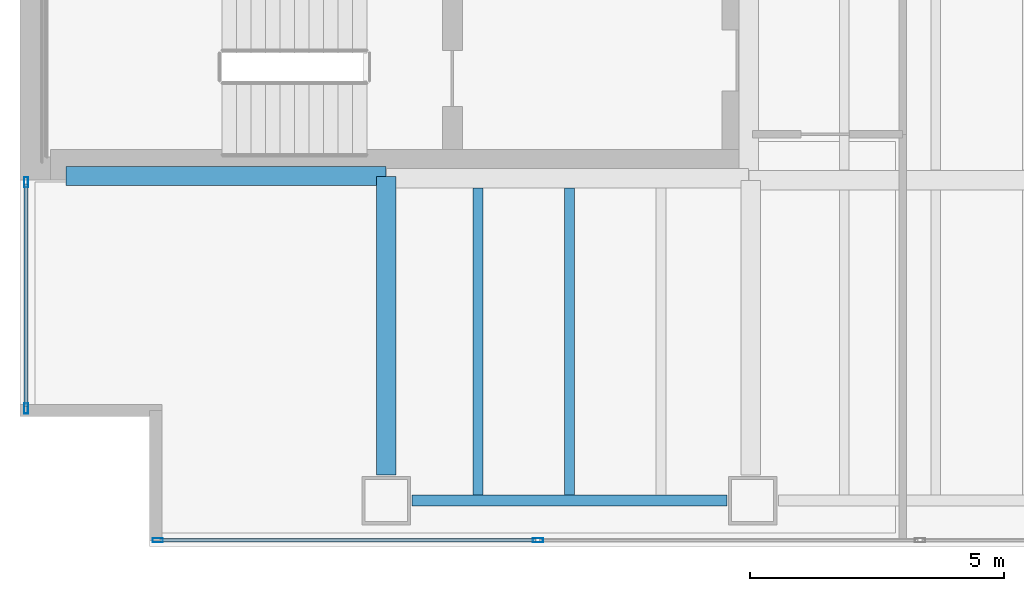
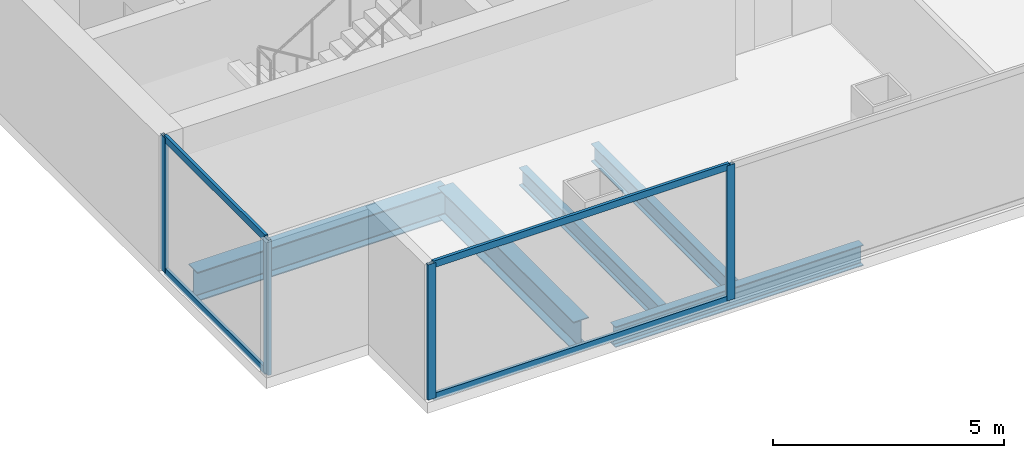
# One storey, part 2 of 24: 8 members, 5 beams, 2 elements without a shape of their own.
"""IFC4 building model written with IfcOpenShell, lengths in metres."""

from ifc_helpers import new_model, si_unit, direction, frame, origin, origin_2d, place, context, subcontext, project, spatial, hollow_rectangle, i_section, extrude, material, material_profile, profile_set, type_object, element, aggregate, save


model = new_model("IFC4")

# Units and contexts
model_context = context("Model", 3, precision=1e-05, world=origin(), true_north=direction((0.0, 1.0)))
body_context = subcontext(model_context, "Body", "Model", "MODEL_VIEW")
ifc_project = project(units=[si_unit("LENGTHUNIT", "METRE"), si_unit("AREAUNIT", "SQUARE_METRE"), si_unit("VOLUMEUNIT", "CUBIC_METRE"), si_unit("PLANEANGLEUNIT", "RADIAN"), si_unit("MASSUNIT", "GRAM", prefix="KILO")], contexts=[model_context])

# Site, building, storey
site_placement = place(None, origin())
site = spatial("IfcSite", under=ifc_project, at=site_placement, CompositionType="ELEMENT")
building_placement = place(site_placement, origin())
building = spatial("IfcBuilding", under=site, at=building_placement, Name="Cobrela Telecom Tower", CompositionType="ELEMENT")
storey_placement = place(building_placement, frame((0.0, 0.0, 77.35009765625)))
storey = spatial("IfcBuildingStorey", under=building, at=storey_placement, Name="L19", CompositionType="ELEMENT", Elevation=77.35009765625)

# Beams
ifc_material_1 = material(Name="Steel ASTM A992 Grade 50", Category="steel")
ifc_material_profile_1 = material_profile(ifc_material_1, i_section(OverallWidth=0.381103515625, OverallDepth=0.77197265625, WebThickness=0.0166015625, FlangeThickness=0.027099609375, FilletRadius=0.01904296875, at=origin_2d()), Name="W30X173")
ifc_profile_set_1 = profile_set([ifc_material_profile_1], Name="Steel ASTM A992 Grade 50")
beam_type_1 = type_object("IfcBeamType", Name="BM-GIRD-04", PredefinedType="USERDEFINED", material=ifc_profile_set_1)
beam_1_placement = place(storey_placement, frame((0.905029296875, 7.280029296875, -0.666015625), z_axis=(1.0, 0.0, 0.0), x_axis=(0.0, 1.0, 0.0)))
element("IfcBeam", 1, at=beam_1_placement, inside=storey, type_object=beam_type_1, Name="L19 Primary Girder X06", ObjectType="GIRDER", PredefinedType="USERDEFINED", context=body_context, shape_type="SweptSolid", body=[
    extrude(i_section(OverallWidth=0.381103515625, OverallDepth=0.77197265625, WebThickness=0.0166015625, FlangeThickness=0.027099609375, FilletRadius=0.01904296875, at=origin_2d()), origin(), (0.0, 0.0, 1.0), 6.2900390625),
])
beam_2_placement = place(storey_placement, frame((7.199951171875, 1.405029296875, -0.666015625), z_axis=(0.0, 1.0, 0.0), x_axis=(-1.0, 0.0, 0.0)))
element("IfcBeam", 2, at=beam_2_placement, inside=storey, type_object=beam_type_1, Name="L19 Primary Girder Y32", ObjectType="GIRDER", PredefinedType="USERDEFINED", context=body_context, shape_type="SweptSolid", body=[
    extrude(i_section(OverallWidth=0.381103515625, OverallDepth=0.77197265625, WebThickness=0.0166015625, FlangeThickness=0.027099609375, FilletRadius=0.01904296875, at=origin_2d()), origin(), (0.0, 0.0, 1.0), 5.869873046875),
])
ifc_material_profile_2 = material_profile(ifc_material_1, i_section(OverallWidth=0.193115234375, OverallDepth=0.467041015625, WebThickness=0.011474609375, FlangeThickness=0.01904296875, FilletRadius=0.012939453125, at=origin_2d()), Name="W18X65")
ifc_profile_set_2 = profile_set([ifc_material_profile_2], Name="Steel ASTM A992 Grade 50")
beam_type_2 = type_object("IfcBeamType", Name="BM-JOIST-03", PredefinedType="JOIST", material=ifc_profile_set_2)
for number, where, z_axis, x_axis, name in (
    (3, (9.0, 1.011474609375, -0.513671875), (0.0, 1.0, 0.0), (-1.0, 0.0, 0.0), "L19 Secondary Composite Floor Beam J01"),
    (4, (10.800048828125, 1.011474609375, -0.513671875), (0.0, 1.0, 0.0), (-1.0, 0.0, 0.0), "L19 Secondary Composite Floor Beam J03"),
):
    element("IfcBeam", number, at=place(storey_placement, frame(where, z_axis=z_axis, x_axis=x_axis)), inside=storey, type_object=beam_type_2, Name=name, PredefinedType="JOIST", context=body_context, shape_type="SweptSolid", body=[
        extrude(i_section(OverallWidth=0.193115234375, OverallDepth=0.467041015625, WebThickness=0.011474609375, FlangeThickness=0.01904296875, FilletRadius=0.012939453125, at=origin_2d()), origin(), (0.0, 0.0, 1.0), 6.032958984375),
    ])
ifc_material_profile_3 = material_profile(ifc_material_1, i_section(OverallWidth=0.212890625, OverallDepth=0.549072265625, WebThickness=0.0146484375, FlangeThickness=0.023681640625, FilletRadius=0.013916015625, at=origin_2d()), Name="W21X93")
ifc_profile_set_3 = profile_set([ifc_material_profile_3], Name="Steel ASTM A992 Grade 50")
beam_type_3 = type_object("IfcBeamType", Name="BM-SPAND-03", PredefinedType="SPANDREL", material=ifc_profile_set_3)
beam_3_placement = place(storey_placement, frame((7.705078125, 0.89990234375, -0.5546875), z_axis=(1.0, 0.0, 0.0), x_axis=(0.0, 1.0, 0.0)))
element("IfcBeam", 5, at=beam_3_placement, inside=storey, type_object=beam_type_3, Name="L19 Perimeter Spandrel X01", PredefinedType="SPANDREL", context=body_context, shape_type="SweptSolid", body=[
    extrude(i_section(OverallWidth=0.212890625, OverallDepth=0.549072265625, WebThickness=0.0146484375, FlangeThickness=0.023681640625, FilletRadius=0.013916015625, at=origin_2d()), origin(), (0.0, 0.0, 1.0), 6.18994140625),
])

# Curtain wall, members
ifc_material_2 = material(Name="Anodized Bronze Aluminium 6063-T6", Category="aluminium")
curtain_wall_type = type_object("IfcCurtainWallType", Name="CW-SYS-DATA", PredefinedType="USERDEFINED", material=ifc_material_2)
curtain_wall_1_placement = place(storey_placement, origin())
curtain_wall_1 = element("IfcCurtainWall", 6, at=curtain_wall_1_placement, inside=storey, type_object=curtain_wall_type, Name="L19 Unitised Bronze Curtain Wall 03", ObjectType="UNITISED CURTAIN WALL", PredefinedType="USERDEFINED")
ifc_material_profile_4 = material_profile(ifc_material_2, hollow_rectangle(XDim=0.080078125, YDim=0.199951171875, WallThickness=0.00390625, at=origin_2d()), Name="ALU 80x200x4")
ifc_profile_set_4 = profile_set([ifc_material_profile_4], Name="Anodized Bronze Aluminium 6063-T6")
member_type_1 = type_object("IfcMemberType", Name="CW-SYS-DATA-MUL", PredefinedType="MULLION", material=ifc_profile_set_4)
member_1_placement = place(storey_placement, frame((0.1201171875, 2.7099609375, 0.0), z_axis=(0.0, 0.0, 1.0), x_axis=(-1.0, 0.0, 0.0)))
member_1 = element("IfcMember", 7, at=member_1_placement, type_object=member_type_1, Name="CW-DATA mullion 1", PredefinedType="MULLION", context=body_context, shape_type="SweptSolid", body=[
    extrude(hollow_rectangle(XDim=0.080078125, YDim=0.199951171875, WallThickness=0.00390625, at=origin_2d()), origin(), (0.0, 0.0, 1.0), 3.56982421875),
])
member_2_placement = place(storey_placement, frame((0.1201171875, 7.159912109375, 0.0), z_axis=(0.0, 0.0, 1.0), x_axis=(-1.0, 0.0, 0.0)))
member_2 = element("IfcMember", 8, at=member_2_placement, type_object=member_type_1, Name="CW-DATA mullion 2", PredefinedType="MULLION", context=body_context, shape_type="SweptSolid", body=[
    extrude(hollow_rectangle(XDim=0.080078125, YDim=0.199951171875, WallThickness=0.00390625, at=origin_2d()), origin(), (0.0, 0.0, 1.0), 3.56982421875),
])

curtain_wall_2_placement = place(storey_placement, origin())
curtain_wall_2 = element("IfcCurtainWall", 9, at=curtain_wall_2_placement, inside=storey, type_object=curtain_wall_type, Name="L19 Unitised Bronze Curtain Wall 17", ObjectType="UNITISED CURTAIN WALL", PredefinedType="USERDEFINED")
member_3_placement = place(storey_placement, frame((10.179931640625, 0.1201171875, 0.0), z_axis=(0.0, 0.0, 1.0), x_axis=(0.0, -1.0, 0.0)))
member_3 = element("IfcMember", 10, at=member_3_placement, type_object=member_type_1, Name="CW-DATA mullion 6", PredefinedType="MULLION", context=body_context, shape_type="SweptSolid", body=[
    extrude(hollow_rectangle(XDim=0.080078125, YDim=0.199951171875, WallThickness=0.00390625, at=origin_2d()), origin(), (0.0, 0.0, 1.0), 3.56982421875),
])
member_4_placement = place(storey_placement, frame((2.7099609375, 0.1201171875, 0.0), z_axis=(0.0, 0.0, 1.0), x_axis=(0.0, -1.0, 0.0)))
member_4 = element("IfcMember", 11, at=member_4_placement, type_object=member_type_1, Name="CW-DATA mullion 7", PredefinedType="MULLION", context=body_context, shape_type="SweptSolid", body=[
    extrude(hollow_rectangle(XDim=0.080078125, YDim=0.199951171875, WallThickness=0.00390625, at=origin_2d()), origin(), (0.0, 0.0, 1.0), 3.56982421875),
])

# Member
ifc_material_profile_5 = material_profile(ifc_material_2, hollow_rectangle(XDim=0.074951171875, YDim=0.179931640625, WallThickness=0.00390625, at=origin_2d()), Name="ALU 75x180x4")
ifc_profile_set_5 = profile_set([ifc_material_profile_5], Name="Anodized Bronze Aluminium 6063-T6")
member_type_2 = type_object("IfcMemberType", Name="CW-SYS-DATA-TRN", PredefinedType="USERDEFINED", material=ifc_profile_set_5)
member_5_placement = place(storey_placement, frame((0.1201171875, 2.75, 0.037353515625), z_axis=(0.0, 1.0, 0.0), x_axis=(-1.0, 0.0, 0.0)))
member_5 = element("IfcMember", 12, at=member_5_placement, type_object=member_type_2, Name="CW-DATA transom 1.1", ObjectType="TRANSOM", PredefinedType="USERDEFINED", context=body_context, shape_type="SweptSolid", body=[
    extrude(hollow_rectangle(XDim=0.074951171875, YDim=0.179931640625, WallThickness=0.00390625, at=origin_2d()), origin(), (0.0, 0.0, 1.0), 4.3701171875),
])

member_6_placement = place(storey_placement, frame((0.1201171875, 2.75, 3.532470703125), z_axis=(0.0, 1.0, 0.0), x_axis=(-1.0, 0.0, 0.0)))
member_6 = element("IfcMember", 13, at=member_6_placement, type_object=member_type_2, Name="CW-DATA transom 1.2", ObjectType="TRANSOM", PredefinedType="USERDEFINED", context=body_context, shape_type="SweptSolid", body=[
    extrude(hollow_rectangle(XDim=0.074951171875, YDim=0.179931640625, WallThickness=0.00390625, at=origin_2d()), origin(), (0.0, 0.0, 1.0), 4.3701171875),
])

aggregate(curtain_wall_1, [member_1, member_2, member_5, member_6])

member_7_placement = place(storey_placement, frame((10.139892578125, 0.1201171875, 0.037353515625), z_axis=(-1.0, 0.0, 0.0), x_axis=(0.0, -1.0, 0.0)))
member_7 = element("IfcMember", 14, at=member_7_placement, type_object=member_type_2, Name="CW-DATA transom 6.1", ObjectType="TRANSOM", PredefinedType="USERDEFINED", context=body_context, shape_type="SweptSolid", body=[
    extrude(hollow_rectangle(XDim=0.074951171875, YDim=0.179931640625, WallThickness=0.00390625, at=origin_2d()), origin(), (0.0, 0.0, 1.0), 7.389892578125),
])

member_8_placement = place(storey_placement, frame((10.139892578125, 0.1201171875, 3.532470703125), z_axis=(-1.0, 0.0, 0.0), x_axis=(0.0, -1.0, 0.0)))
member_8 = element("IfcMember", 15, at=member_8_placement, type_object=member_type_2, Name="CW-DATA transom 6.2", ObjectType="TRANSOM", PredefinedType="USERDEFINED", context=body_context, shape_type="SweptSolid", body=[
    extrude(hollow_rectangle(XDim=0.074951171875, YDim=0.179931640625, WallThickness=0.00390625, at=origin_2d()), origin(), (0.0, 0.0, 1.0), 7.389892578125),
])

aggregate(curtain_wall_2, [member_3, member_4, member_7, member_8])

save(model, "model.ifc")
